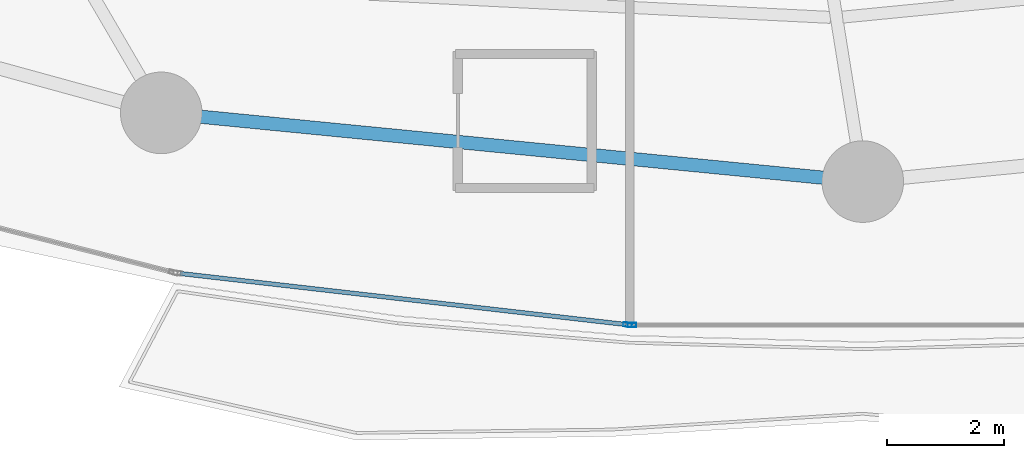
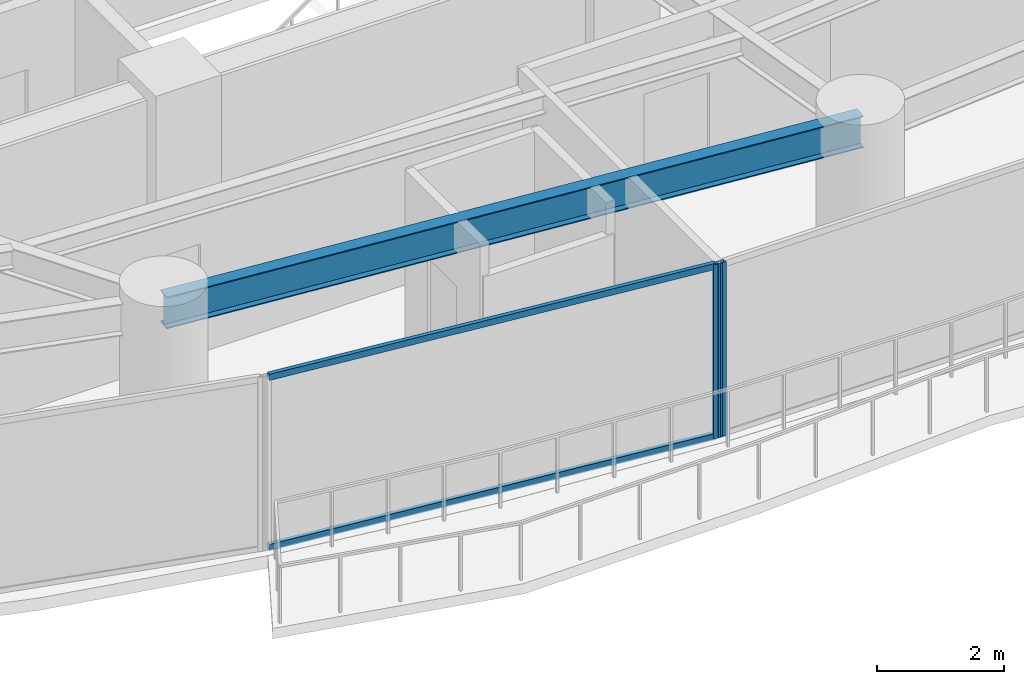
# One storey, part 6 of 31: 4 members, 1 beam, 2 elements without a shape of their own.
"""IFC4 building model written with IfcOpenShell, lengths in metres."""

import ifcopenshell
import ifcopenshell.guid

model = None  # the IFC model being written
_history = None  # IfcOwnerHistory: only IFC2X3 demands one
_inside = {}  # id of a spatial element -> (the spatial element, [elements in it])
_under = {}  # id of a project, library or spatial element -> (it, [spatial elements below it])
_declared = {}  # id of a project -> (the project, [libraries it declares])
_typed = {}  # id of a type object -> (the type object, [elements of that type])
_made_of = {}  # id of a material, layer set ... -> (it, [elements and type objects made of it])


def new_model(schema):
    """Start an empty IFC model of exactly this schema.

    Asked for "IFC4X3", IfcOpenShell would pick the latest addendum, in which some entities
    have other attributes; the version numbers below select the first issue.
    IFC2X3 requires an IfcOwnerHistory on every rooted entity: one is made here for all.
    """
    global model, _history
    if schema == "IFC4X3":
        model = ifcopenshell.file(schema_version=(4, 3, 0, 0))
    else:
        model = ifcopenshell.file(schema=schema)
    _inside.clear()
    _under.clear()
    _declared.clear()
    _typed.clear()
    _made_of.clear()
    _history = None
    if model.schema == "IFC2X3":
        org = make("IfcOrganization", Name="unknown")
        user = make(
            "IfcPersonAndOrganization",
            ThePerson=make("IfcPerson", FamilyName="unknown"),
            TheOrganization=org,
        )
        app = make(
            "IfcApplication",
            ApplicationDeveloper=org,
            Version="unknown",
            ApplicationFullName="unknown",
            ApplicationIdentifier="unknown",
        )
        _history = make(
            "IfcOwnerHistory",
            OwningUser=user,
            OwningApplication=app,
            ChangeAction="ADDED",
            CreationDate=0,
        )
    return model


def make(cls, **values):
    """One entity of the class cls with the attributes given. An attribute that is None is left unset."""
    return model.create_entity(
        cls, **{name: value for name, value in values.items() if value is not None}
    )


def rooted(cls, **values):
    """An entity with a GlobalId (a new one), such as an element, a storey or a relation."""
    return make(cls, GlobalId=ifcopenshell.guid.new(), OwnerHistory=_history, **values)


def si_unit(unit_type, name, prefix=None):
    """IfcSIUnit, for example si_unit("LENGTHUNIT", "METRE", prefix="MILLI")."""
    return make("IfcSIUnit", UnitType=unit_type, Prefix=prefix, Name=name)


def assignment(units):
    """IfcUnitAssignment: the units of a project."""
    return None if units is None else make("IfcUnitAssignment", Units=units)


def point(xyz):
    """IfcCartesianPoint."""
    return None if xyz is None else make("IfcCartesianPoint", Coordinates=xyz)


def direction(xyz):
    """IfcDirection."""
    return None if xyz is None else make("IfcDirection", DirectionRatios=xyz)


def frame(location, z_axis=None, x_axis=None):
    """IfcAxis2Placement3D, a coordinate frame: its origin and axes. An axis left out is left unset."""
    return make(
        "IfcAxis2Placement3D",
        Location=point(location),
        Axis=direction(z_axis),
        RefDirection=direction(x_axis),
    )


def frame_2d(location, x_axis=None):
    """IfcAxis2Placement2D, a coordinate frame in the plane: its origin and x axis."""
    return make(
        "IfcAxis2Placement2D", Location=point(location), RefDirection=direction(x_axis)
    )


def origin():
    """The frame at (0, 0, 0) with its axes left unset."""
    return frame((0.0, 0.0, 0.0))


def origin_2d():
    """The frame at (0, 0) in the plane with its x axis left unset."""
    return frame_2d((0.0, 0.0))


def place(relative_to, where):
    """IfcLocalPlacement: puts the frame where relative to a parent placement (None: the world)."""
    return make(
        "IfcLocalPlacement", PlacementRelTo=relative_to, RelativePlacement=where
    )


def context(
    kind, dimensions, precision=None, world=None, true_north=None, identifier=None
):
    """IfcGeometricRepresentationContext, for example the 3D "Model" context."""
    return make(
        "IfcGeometricRepresentationContext",
        ContextIdentifier=identifier,
        ContextType=kind,
        CoordinateSpaceDimension=dimensions,
        Precision=precision,
        WorldCoordinateSystem=world,
        TrueNorth=true_north,
    )


def subcontext(parent, identifier, kind, view, scale=None):
    """IfcGeometricRepresentationSubContext, for example "Body" below "Model"."""
    return make(
        "IfcGeometricRepresentationSubContext",
        ContextIdentifier=identifier,
        ContextType=kind,
        ParentContext=parent,
        TargetScale=scale,
        TargetView=view,
    )


def project(units=None, contexts=None):
    """IfcProject with its units and contexts."""
    return rooted(
        "IfcProject",
        Name="project",
        RepresentationContexts=contexts,
        UnitsInContext=assignment(units),
    )


def spatial(cls, under=None, at=None, **own):
    """A site, building, storey or space (cls), placed at a placement, below another one or the project."""
    s = rooted(cls, ObjectPlacement=at, **own)
    if under is not None:
        _under.setdefault(under.id(), (under, []))[1].append(s)
    return s


def profile(cls, at=None, kind="AREA", **sizes):
    """A parametric profile (cls). Its sizes go by their IFC names, for example OverallWidth=200.0."""
    return make(cls, ProfileType=kind, Position=at, **sizes)


def hollow_rectangle(**sizes):
    """IfcRectangleHollowProfileDef."""
    return profile("IfcRectangleHollowProfileDef", **sizes)


def i_section(**sizes):
    """IfcIShapeProfileDef."""
    return profile("IfcIShapeProfileDef", **sizes)


def extrude(swept, where, along, depth):
    """IfcExtrudedAreaSolid: the profile swept, set in the frame where, extruded along a direction by depth."""
    return make(
        "IfcExtrudedAreaSolid",
        SweptArea=swept,
        Position=where,
        ExtrudedDirection=direction(along),
        Depth=depth,
    )


def shape(context_of_items, identifier, shape_type, items):
    """IfcShapeRepresentation: the items that make up one representation, for example the "Body"."""
    return make(
        "IfcShapeRepresentation",
        ContextOfItems=context_of_items,
        RepresentationIdentifier=identifier,
        RepresentationType=shape_type,
        Items=items,
    )


def material(Name=None, Category=None):
    """IfcMaterial."""
    return make("IfcMaterial", Name=Name, Category=Category)


def layer(
    of_material, thickness, ventilated=None, Name=None, Category=None, Priority=None
):
    """IfcMaterialLayer: one layer of a wall or slab, of a material (None: an air gap)."""
    return make(
        "IfcMaterialLayer",
        Material=of_material,
        LayerThickness=thickness,
        IsVentilated=ventilated,
        Name=Name,
        Category=Category,
        Priority=Priority,
    )


def layer_set(layers, Name=None):
    """IfcMaterialLayerSet."""
    return make("IfcMaterialLayerSet", MaterialLayers=layers, LayerSetName=Name)


def material_profile(
    of_material, cross_section, Name=None, Category=None, Priority=None
):
    """IfcMaterialProfile: a cross section and its material."""
    return make(
        "IfcMaterialProfile",
        Name=Name,
        Material=of_material,
        Profile=cross_section,
        Priority=Priority,
        Category=Category,
    )


def profile_set(profiles, Name=None, composite=None):
    """IfcMaterialProfileSet."""
    return make(
        "IfcMaterialProfileSet",
        Name=Name,
        MaterialProfiles=profiles,
        CompositeProfile=composite,
    )


def made_of(thing, what):
    """Note that an element or type object is made of a material, layer set ...; save() writes the relation."""
    if what is not None:
        _made_of.setdefault(what.id(), (what, []))[1].append(thing)
    return thing


def type_object(cls, material=None, **own):
    """A type object (cls), such as IfcWallType, which elements share."""
    return made_of(rooted(cls, **own), material)


def element(
    cls,
    number,
    at=None,
    inside=None,
    cuts=None,
    type_object=None,
    material=None,
    context=None,
    identifier="Body",
    shape_type=None,
    held_by="IfcProductDefinitionShape",
    body=None,
    shapes=None,
    **own,
):
    """One element of the class cls, such as IfcWall. Its Tag is "e" and its number.

    at: its placement. inside: the storey or other place that contains it. cuts: it is an
    opening in that element (IfcRelVoidsElement). A single representation is given by context,
    identifier, shape_type and body (its items); several are given by shapes. held_by: the class
    of the entity that holds the representations. save() writes the other relations.
    """
    e = rooted(cls, Tag="e%d" % number, ObjectPlacement=at, **own)
    if body is not None:
        shapes = [shape(context, identifier, shape_type, body)]
    if shapes is not None:
        e.Representation = make(held_by, Representations=shapes)
    if inside is not None:
        _inside.setdefault(inside.id(), (inside, []))[1].append(e)
    if cuts is not None:
        rooted(
            "IfcRelVoidsElement", RelatingBuildingElement=cuts, RelatedOpeningElement=e
        )
    if type_object is not None:
        _typed.setdefault(type_object.id(), (type_object, []))[1].append(e)
    return made_of(e, material)


def aggregate(whole, parts):
    """IfcRelAggregates: a whole, such as a stair, and the parts it consists of."""
    return rooted("IfcRelAggregates", RelatingObject=whole, RelatedObjects=parts)


def save(model, path):
    """Write the relations noted so far, then the file.

    IfcRelAggregates (storeys below a building ...), IfcRelContainedInSpatialStructure (elements
    in a storey), IfcRelDefinesByType, IfcRelAssociatesMaterial and IfcRelDeclares: one each for
    every whole, place, type object, material and project.
    """
    for whole, parts in _under.values():
        aggregate(whole, parts)
    for where, things in _inside.values():
        rooted(
            "IfcRelContainedInSpatialStructure",
            RelatedElements=things,
            RelatingStructure=where,
        )
    for kind, things in _typed.values():
        rooted("IfcRelDefinesByType", RelatedObjects=things, RelatingType=kind)
    for what, things in _made_of.values():
        rooted("IfcRelAssociatesMaterial", RelatedObjects=things, RelatingMaterial=what)
    for by, libraries in _declared.values():
        rooted("IfcRelDeclares", RelatingContext=by, RelatedDefinitions=libraries)
    model.write(path)


model = new_model("IFC4")

# Units and contexts
model_context = context("Model", 3, precision=1e-05, world=origin(), true_north=direction((0.0, 1.0)))
body_context = subcontext(model_context, "Body", "Model", "MODEL_VIEW")
ifc_project = project(units=[si_unit("LENGTHUNIT", "METRE"), si_unit("AREAUNIT", "SQUARE_METRE"), si_unit("VOLUMEUNIT", "CUBIC_METRE"), si_unit("PLANEANGLEUNIT", "RADIAN"), si_unit("MASSUNIT", "GRAM", prefix="KILO")], contexts=[model_context])

# Site, building, storey
site_placement = place(None, origin())
site = spatial("IfcSite", under=ifc_project, at=site_placement, CompositionType="ELEMENT")
building_placement = place(site_placement, origin())
building = spatial("IfcBuilding", under=site, at=building_placement, Name="Kazevale Care Tower and Concert Hall", CompositionType="ELEMENT")
storey_placement = place(building_placement, frame((0.0, 0.0, 63.60009765625)))
storey = spatial("IfcBuildingStorey", under=building, at=storey_placement, Name="L16", CompositionType="ELEMENT", Elevation=63.60009765625)

# Curtain wall, member
ifc_material_1 = material(Name="Aluminium 6063-T6 and Low-E Glass", Category="aluminium")
ifc_layer = layer(ifc_material_1, 0.179931640625)
ifc_layer_set = layer_set([ifc_layer], Name="Aluminium 6063-T6 and Low-E Glass")
curtain_wall_type = type_object("IfcCurtainWallType", Name="Sheltered Concave Balcony Curtain Wall CW-5", PredefinedType="NOTDEFINED", material=ifc_layer_set)
curtain_wall_1_placement = place(storey_placement, origin())
curtain_wall_1 = element("IfcCurtainWall", 1, at=curtain_wall_1_placement, inside=storey, type_object=curtain_wall_type, Name="cw:L16:f06", PredefinedType="NOTDEFINED")
ifc_material_2 = material(Name="Aluminium 6063-T6", Category="aluminium")
ifc_material_profile_1 = material_profile(ifc_material_2, hollow_rectangle(XDim=0.074951171875, YDim=0.14990234375, WallThickness=0.00390625, at=origin_2d()), Name="ALU75x150x4")
ifc_profile_set_1 = profile_set([ifc_material_profile_1], Name="Aluminium 6063-T6")
member_type_1 = type_object("IfcMemberType", Name="CW-5 Mullion ALU75x150x4", PredefinedType="MULLION", material=ifc_profile_set_1)
member_1_placement = place(storey_placement, frame((41.03955078125, 14.889892578125, 0.0), z_axis=(0.0, 0.0, 1.0), x_axis=(0.0, -1.0, 0.0)))
member_1 = element("IfcMember", 2, at=member_1_placement, type_object=member_type_1, Name="CW-5 mullion 2", PredefinedType="MULLION", context=body_context, shape_type="SweptSolid", body=[
    extrude(hollow_rectangle(XDim=0.074951171875, YDim=0.14990234375, WallThickness=0.00390625, at=origin_2d()), origin(), (0.0, 0.0, 1.0), 3.35986328125),
])
aggregate(curtain_wall_1, [member_1])

# Curtain wall, members
curtain_wall_2_placement = place(storey_placement, origin())
curtain_wall_2 = element("IfcCurtainWall", 3, at=curtain_wall_2_placement, inside=storey, type_object=curtain_wall_type, Name="cw:L16:f07", PredefinedType="NOTDEFINED")
member_2_placement = place(storey_placement, frame((40.96484375, 14.894287109375, 0.0), z_axis=(0.0, 0.0, 1.0), x_axis=(-0.113704773808, -0.993514581883, 0.0)))
member_2 = element("IfcMember", 4, at=member_2_placement, type_object=member_type_1, Name="CW-5 mullion 1", PredefinedType="MULLION", context=body_context, shape_type="SweptSolid", body=[
    extrude(hollow_rectangle(XDim=0.074951171875, YDim=0.14990234375, WallThickness=0.00390625, at=origin_2d()), origin(), (0.0, 0.0, 1.0), 3.35986328125),
])
ifc_material_profile_2 = material_profile(ifc_material_2, hollow_rectangle(XDim=0.074951171875, YDim=0.1201171875, WallThickness=0.00390625, at=origin_2d()), Name="ALU75x120x4")
ifc_profile_set_2 = profile_set([ifc_material_profile_2], Name="Aluminium 6063-T6")
member_type_2 = type_object("IfcMemberType", Name="CW-5 Transom ALU75x120x4", PredefinedType="USERDEFINED", material=ifc_profile_set_2)
member_3_placement = place(storey_placement, frame((40.927490234375, 14.8984375, 0.037353515625), z_axis=(-0.993513842403, 0.113711234948, 0.0), x_axis=(-0.113711234948, -0.993513842403, 0.0)))
member_3 = element("IfcMember", 5, at=member_3_placement, type_object=member_type_2, Name="CW-5 transom 1.1", ObjectType="TRANSOM", PredefinedType="USERDEFINED", context=body_context, shape_type="SweptSolid", body=[
    extrude(hollow_rectangle(XDim=0.074951171875, YDim=0.1201171875, WallThickness=0.00390625, at=origin_2d()), origin(), (0.0, 0.0, 1.0), 7.69482421875),
])
member_4_placement = place(storey_placement, frame((40.927490234375, 14.8984375, 3.322509765625), z_axis=(-0.993513842403, 0.113711234948, 0.0), x_axis=(-0.113711234948, -0.993513842403, 0.0)))
member_4 = element("IfcMember", 6, at=member_4_placement, type_object=member_type_2, Name="CW-5 transom 1.2", ObjectType="TRANSOM", PredefinedType="USERDEFINED", context=body_context, shape_type="SweptSolid", body=[
    extrude(hollow_rectangle(XDim=0.074951171875, YDim=0.1201171875, WallThickness=0.00390625, at=origin_2d()), origin(), (0.0, 0.0, 1.0), 7.69482421875),
])
aggregate(curtain_wall_2, [member_2, member_3, member_4])

# Beam
ifc_material_3 = material(Name="Steel ASTM A572 Gr 50", Category="steel")
ifc_material_profile_3 = material_profile(ifc_material_3, i_section(OverallWidth=0.22900390625, OverallDepth=0.612060546875, WebThickness=0.011962890625, FlangeThickness=0.01953125, at=origin_2d()), Name="W610x125")
ifc_profile_set_3 = profile_set([ifc_material_profile_3], Name="Steel ASTM A572 Gr 50")
beam_type = type_object("IfcBeamType", Name="Ring Spandrel Beam W610x125", PredefinedType="SPANDREL", material=ifc_profile_set_3)
beam_placement = place(storey_placement, frame((32.9599609375, 18.530029296875, 3.053955078125), z_axis=(0.995232251602, -0.09753340644, 0.0), x_axis=(0.09753340644, 0.995232251602, 0.0)))
element("IfcBeam", 7, at=beam_placement, inside=storey, type_object=beam_type, Name="beam:L16:ring:12", PredefinedType="SPANDREL", context=body_context, shape_type="SweptSolid", body=[
    extrude(i_section(OverallWidth=0.22900390625, OverallDepth=0.612060546875, WebThickness=0.011962890625, FlangeThickness=0.01953125, at=origin_2d()), origin(), (0.0, 0.0, 1.0), 12.09765625),
])

save(model, "model.ifc")
